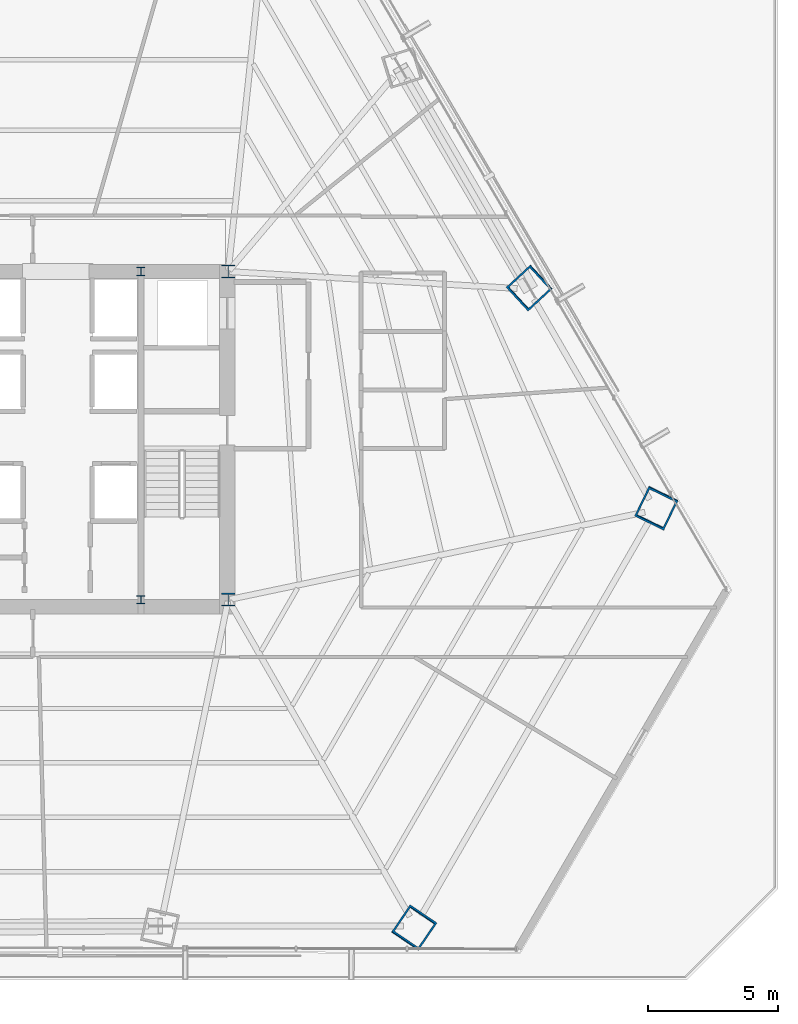
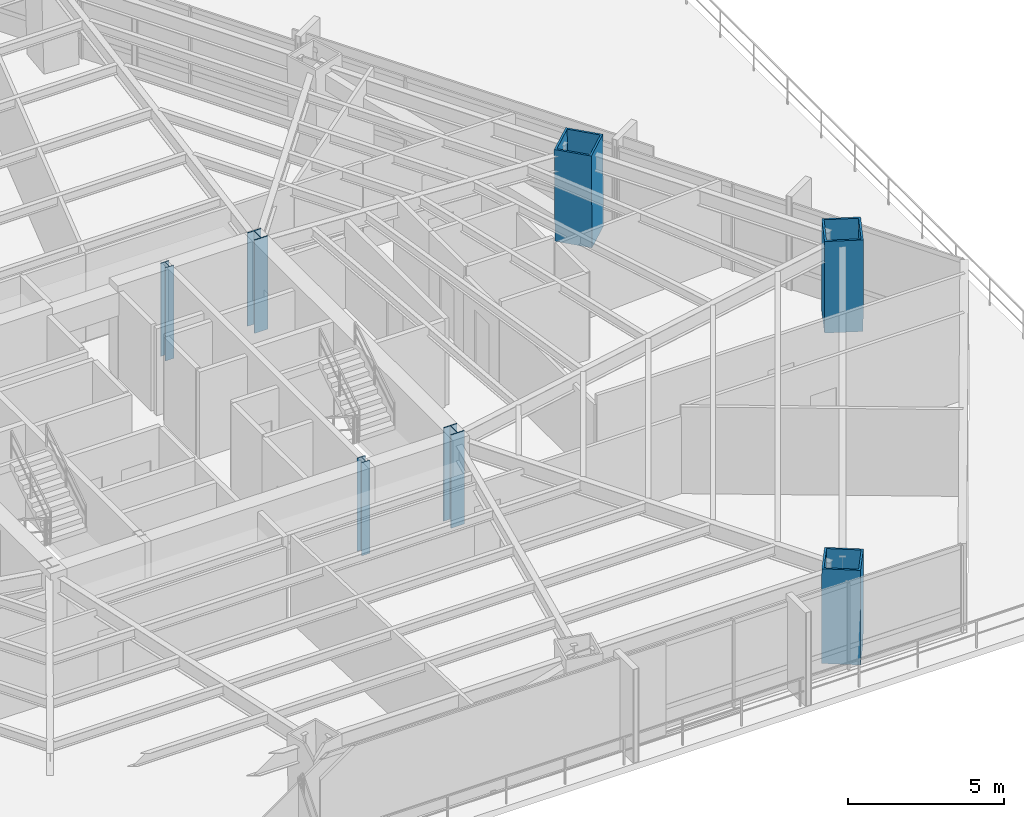
# One storey, part 2 of 35: 7 columns.
"""IFC4 building model written with IfcOpenShell, lengths in metres."""

import ifcopenshell
import ifcopenshell.guid

model = None  # the IFC model being written
_history = None  # IfcOwnerHistory: only IFC2X3 demands one
_inside = {}  # id of a spatial element -> (the spatial element, [elements in it])
_under = {}  # id of a project, library or spatial element -> (it, [spatial elements below it])
_declared = {}  # id of a project -> (the project, [libraries it declares])
_typed = {}  # id of a type object -> (the type object, [elements of that type])
_made_of = {}  # id of a material, layer set ... -> (it, [elements and type objects made of it])


def new_model(schema):
    """Start an empty IFC model of exactly this schema.

    Asked for "IFC4X3", IfcOpenShell would pick the latest addendum, in which some entities
    have other attributes; the version numbers below select the first issue.
    IFC2X3 requires an IfcOwnerHistory on every rooted entity: one is made here for all.
    """
    global model, _history
    if schema == "IFC4X3":
        model = ifcopenshell.file(schema_version=(4, 3, 0, 0))
    else:
        model = ifcopenshell.file(schema=schema)
    _inside.clear()
    _under.clear()
    _declared.clear()
    _typed.clear()
    _made_of.clear()
    _history = None
    if model.schema == "IFC2X3":
        org = make("IfcOrganization", Name="unknown")
        user = make(
            "IfcPersonAndOrganization",
            ThePerson=make("IfcPerson", FamilyName="unknown"),
            TheOrganization=org,
        )
        app = make(
            "IfcApplication",
            ApplicationDeveloper=org,
            Version="unknown",
            ApplicationFullName="unknown",
            ApplicationIdentifier="unknown",
        )
        _history = make(
            "IfcOwnerHistory",
            OwningUser=user,
            OwningApplication=app,
            ChangeAction="ADDED",
            CreationDate=0,
        )
    return model


def make(cls, **values):
    """One entity of the class cls with the attributes given. An attribute that is None is left unset."""
    return model.create_entity(
        cls, **{name: value for name, value in values.items() if value is not None}
    )


def rooted(cls, **values):
    """An entity with a GlobalId (a new one), such as an element, a storey or a relation."""
    return make(cls, GlobalId=ifcopenshell.guid.new(), OwnerHistory=_history, **values)


def si_unit(unit_type, name, prefix=None):
    """IfcSIUnit, for example si_unit("LENGTHUNIT", "METRE", prefix="MILLI")."""
    return make("IfcSIUnit", UnitType=unit_type, Prefix=prefix, Name=name)


def assignment(units):
    """IfcUnitAssignment: the units of a project."""
    return None if units is None else make("IfcUnitAssignment", Units=units)


def point(xyz):
    """IfcCartesianPoint."""
    return None if xyz is None else make("IfcCartesianPoint", Coordinates=xyz)


def direction(xyz):
    """IfcDirection."""
    return None if xyz is None else make("IfcDirection", DirectionRatios=xyz)


def frame(location, z_axis=None, x_axis=None):
    """IfcAxis2Placement3D, a coordinate frame: its origin and axes. An axis left out is left unset."""
    return make(
        "IfcAxis2Placement3D",
        Location=point(location),
        Axis=direction(z_axis),
        RefDirection=direction(x_axis),
    )


def frame_2d(location, x_axis=None):
    """IfcAxis2Placement2D, a coordinate frame in the plane: its origin and x axis."""
    return make(
        "IfcAxis2Placement2D", Location=point(location), RefDirection=direction(x_axis)
    )


def origin():
    """The frame at (0, 0, 0) with its axes left unset."""
    return frame((0.0, 0.0, 0.0))


def origin_2d():
    """The frame at (0, 0) in the plane with its x axis left unset."""
    return frame_2d((0.0, 0.0))


def place(relative_to, where):
    """IfcLocalPlacement: puts the frame where relative to a parent placement (None: the world)."""
    return make(
        "IfcLocalPlacement", PlacementRelTo=relative_to, RelativePlacement=where
    )


def context(
    kind, dimensions, precision=None, world=None, true_north=None, identifier=None
):
    """IfcGeometricRepresentationContext, for example the 3D "Model" context."""
    return make(
        "IfcGeometricRepresentationContext",
        ContextIdentifier=identifier,
        ContextType=kind,
        CoordinateSpaceDimension=dimensions,
        Precision=precision,
        WorldCoordinateSystem=world,
        TrueNorth=true_north,
    )


def subcontext(parent, identifier, kind, view, scale=None):
    """IfcGeometricRepresentationSubContext, for example "Body" below "Model"."""
    return make(
        "IfcGeometricRepresentationSubContext",
        ContextIdentifier=identifier,
        ContextType=kind,
        ParentContext=parent,
        TargetScale=scale,
        TargetView=view,
    )


def project(units=None, contexts=None):
    """IfcProject with its units and contexts."""
    return rooted(
        "IfcProject",
        Name="project",
        RepresentationContexts=contexts,
        UnitsInContext=assignment(units),
    )


def spatial(cls, under=None, at=None, **own):
    """A site, building, storey or space (cls), placed at a placement, below another one or the project."""
    s = rooted(cls, ObjectPlacement=at, **own)
    if under is not None:
        _under.setdefault(under.id(), (under, []))[1].append(s)
    return s


def profile(cls, at=None, kind="AREA", **sizes):
    """A parametric profile (cls). Its sizes go by their IFC names, for example OverallWidth=200.0."""
    return make(cls, ProfileType=kind, Position=at, **sizes)


def hollow_rectangle(**sizes):
    """IfcRectangleHollowProfileDef."""
    return profile("IfcRectangleHollowProfileDef", **sizes)


def i_section(**sizes):
    """IfcIShapeProfileDef."""
    return profile("IfcIShapeProfileDef", **sizes)


def extrude(swept, where, along, depth):
    """IfcExtrudedAreaSolid: the profile swept, set in the frame where, extruded along a direction by depth."""
    return make(
        "IfcExtrudedAreaSolid",
        SweptArea=swept,
        Position=where,
        ExtrudedDirection=direction(along),
        Depth=depth,
    )


def shape(context_of_items, identifier, shape_type, items):
    """IfcShapeRepresentation: the items that make up one representation, for example the "Body"."""
    return make(
        "IfcShapeRepresentation",
        ContextOfItems=context_of_items,
        RepresentationIdentifier=identifier,
        RepresentationType=shape_type,
        Items=items,
    )


def source(mapping_origin, context_of_items, identifier, shape_type, items):
    """IfcRepresentationMap: a shape defined once, which mapped items show again and again."""
    return make(
        "IfcRepresentationMap",
        MappingOrigin=mapping_origin,
        MappedRepresentation=shape(context_of_items, identifier, shape_type, items),
    )


def transform(
    local_origin,
    x_axis=None,
    y_axis=None,
    z_axis=None,
    scale=None,
    scale2=None,
    scale3=None,
    uniform=True,
):
    """IfcCartesianTransformationOperator3D, or its non-uniform kind. x_axis, y_axis, z_axis: its Axis1, 2, 3."""
    if uniform:
        return make(
            "IfcCartesianTransformationOperator3D",
            Axis1=direction(x_axis),
            Axis2=direction(y_axis),
            LocalOrigin=point(local_origin),
            Scale=scale,
            Axis3=direction(z_axis),
        )
    return make(
        "IfcCartesianTransformationOperator3DnonUniform",
        Axis1=direction(x_axis),
        Axis2=direction(y_axis),
        LocalOrigin=point(local_origin),
        Scale=scale,
        Axis3=direction(z_axis),
        Scale2=scale2,
        Scale3=scale3,
    )


def mapped(mapping_source, mapping_target):
    """IfcMappedItem: shows the shape of a source again, moved by a transform."""
    return make(
        "IfcMappedItem", MappingSource=mapping_source, MappingTarget=mapping_target
    )


def material(Name=None, Category=None):
    """IfcMaterial."""
    return make("IfcMaterial", Name=Name, Category=Category)


def material_profile(
    of_material, cross_section, Name=None, Category=None, Priority=None
):
    """IfcMaterialProfile: a cross section and its material."""
    return make(
        "IfcMaterialProfile",
        Name=Name,
        Material=of_material,
        Profile=cross_section,
        Priority=Priority,
        Category=Category,
    )


def profile_set(profiles, Name=None, composite=None):
    """IfcMaterialProfileSet."""
    return make(
        "IfcMaterialProfileSet",
        Name=Name,
        MaterialProfiles=profiles,
        CompositeProfile=composite,
    )


def made_of(thing, what):
    """Note that an element or type object is made of a material, layer set ...; save() writes the relation."""
    if what is not None:
        _made_of.setdefault(what.id(), (what, []))[1].append(thing)
    return thing


def type_object(cls, material=None, **own):
    """A type object (cls), such as IfcWallType, which elements share."""
    return made_of(rooted(cls, **own), material)


def type_shapes(of_type, sources):
    """Give a type object the sources (RepresentationMaps) that its elements show as mapped items."""
    of_type.RepresentationMaps = sources


def element(
    cls,
    number,
    at=None,
    inside=None,
    cuts=None,
    type_object=None,
    material=None,
    context=None,
    identifier="Body",
    shape_type=None,
    held_by="IfcProductDefinitionShape",
    body=None,
    shapes=None,
    **own,
):
    """One element of the class cls, such as IfcWall. Its Tag is "e" and its number.

    at: its placement. inside: the storey or other place that contains it. cuts: it is an
    opening in that element (IfcRelVoidsElement). A single representation is given by context,
    identifier, shape_type and body (its items); several are given by shapes. held_by: the class
    of the entity that holds the representations. save() writes the other relations.
    """
    e = rooted(cls, Tag="e%d" % number, ObjectPlacement=at, **own)
    if body is not None:
        shapes = [shape(context, identifier, shape_type, body)]
    if shapes is not None:
        e.Representation = make(held_by, Representations=shapes)
    if inside is not None:
        _inside.setdefault(inside.id(), (inside, []))[1].append(e)
    if cuts is not None:
        rooted(
            "IfcRelVoidsElement", RelatingBuildingElement=cuts, RelatedOpeningElement=e
        )
    if type_object is not None:
        _typed.setdefault(type_object.id(), (type_object, []))[1].append(e)
    return made_of(e, material)


def aggregate(whole, parts):
    """IfcRelAggregates: a whole, such as a stair, and the parts it consists of."""
    return rooted("IfcRelAggregates", RelatingObject=whole, RelatedObjects=parts)


def save(model, path):
    """Write the relations noted so far, then the file.

    IfcRelAggregates (storeys below a building ...), IfcRelContainedInSpatialStructure (elements
    in a storey), IfcRelDefinesByType, IfcRelAssociatesMaterial and IfcRelDeclares: one each for
    every whole, place, type object, material and project.
    """
    for whole, parts in _under.values():
        aggregate(whole, parts)
    for where, things in _inside.values():
        rooted(
            "IfcRelContainedInSpatialStructure",
            RelatedElements=things,
            RelatingStructure=where,
        )
    for kind, things in _typed.values():
        rooted("IfcRelDefinesByType", RelatedObjects=things, RelatingType=kind)
    for what, things in _made_of.values():
        rooted("IfcRelAssociatesMaterial", RelatedObjects=things, RelatingMaterial=what)
    for by, libraries in _declared.values():
        rooted("IfcRelDeclares", RelatingContext=by, RelatedDefinitions=libraries)
    model.write(path)


model = new_model("IFC4")

# Units and contexts
model_context = context("Model", 3, precision=1e-05, world=origin(), true_north=direction((0.0, 1.0)))
body_context = subcontext(model_context, "Body", "Model", "MODEL_VIEW")
ifc_project = project(units=[si_unit("LENGTHUNIT", "METRE"), si_unit("AREAUNIT", "SQUARE_METRE"), si_unit("VOLUMEUNIT", "CUBIC_METRE"), si_unit("PLANEANGLEUNIT", "RADIAN"), si_unit("MASSUNIT", "GRAM", prefix="KILO")], contexts=[model_context])

# Site, building, storey
site_placement = place(None, origin())
site = spatial("IfcSite", under=ifc_project, at=site_placement, CompositionType="ELEMENT")
building_placement = place(site_placement, origin())
building = spatial("IfcBuilding", under=site, at=building_placement, Name="Caelisora Broadcast Tower", CompositionType="ELEMENT")
storey_placement = place(building_placement, frame((0.0, 0.0, 27.60009765625)))
storey = spatial("IfcBuildingStorey", under=building, at=storey_placement, Name="L06", CompositionType="ELEMENT", Elevation=27.60009765625)

# Columns
ifc_material_1 = material(Name="Steel Grade 350 (AS/NZS 3679.2)", Category="steel")
ifc_material_profile_1 = material_profile(ifc_material_1, i_section(OverallWidth=0.5, OverallDepth=0.5, WebThickness=0.028076171875, FlangeThickness=0.0400390625, at=origin_2d()), Name="Steel Grade 350 (AS/NZS 3679.2)")
ifc_profile_set_1 = profile_set([ifc_material_profile_1], Name="Steel Grade 350 (AS/NZS 3679.2)")
column_type_1 = type_object("IfcColumnType", Name="CC01", PredefinedType="COLUMN", material=ifc_profile_set_1)
shared_shape_1 = source(origin(), body_context, "Body", "SweptSolid", [
    extrude(i_section(OverallWidth=0.5, OverallDepth=0.5, WebThickness=0.028076171875, FlangeThickness=0.0400390625, at=origin_2d()), origin(), (0.0, 0.0, 1.0), 3.64990234375),
])
type_shapes(column_type_1, [shared_shape_1])
for number, where, z_axis, x_axis, name in (
    (1, (45.5, 17.39990234375, 0.0), (0.0, 0.0, 1.0), (1.0, 0.0, 0.0), "L06 column CC01"),
    (2, (45.5, 30.0, 0.0), (0.0, 0.0, 1.0), (1.0, 0.0, 0.0), "L06 column CC01"),
):
    element("IfcColumn", number, at=place(storey_placement, frame(where, z_axis=z_axis, x_axis=x_axis)), inside=storey, type_object=column_type_1, Name=name, PredefinedType="COLUMN", context=body_context, shape_type="MappedRepresentation", body=[
        mapped(shared_shape_1, transform((0.0, 0.0, 0.0), scale=1.0)),
    ])
ifc_material_2 = material(Name="Steel Grade 350 (AS/NZS 3679.1)", Category="steel")
ifc_material_profile_2 = material_profile(ifc_material_2, i_section(OverallWidth=0.306884765625, OverallDepth=0.314697265625, WebThickness=0.011962890625, FlangeThickness=0.018798828125, at=origin_2d()), Name="Steel Grade 350 (AS/NZS 3679.1)")
ifc_profile_set_2 = profile_set([ifc_material_profile_2], Name="Steel Grade 350 (AS/NZS 3679.1)")
column_type_2 = type_object("IfcColumnType", Name="CC04", PredefinedType="COLUMN", material=ifc_profile_set_2)
shared_shape_2 = source(origin(), body_context, "Body", "SweptSolid", [
    extrude(i_section(OverallWidth=0.306884765625, OverallDepth=0.314697265625, WebThickness=0.011962890625, FlangeThickness=0.018798828125, at=origin_2d()), origin(), (0.0, 0.0, 1.0), 3.64990234375),
])
type_shapes(column_type_2, [shared_shape_2])
for number, where, z_axis, x_axis, name in (
    (3, (42.14990234375, 17.39990234375, 0.0), (0.0, 0.0, 1.0), (1.0, 0.0, 0.0), "L06 column CC04"),
    (4, (42.14990234375, 30.0, 0.0), (0.0, 0.0, 1.0), (1.0, 0.0, 0.0), "L06 column CC04"),
):
    element("IfcColumn", number, at=place(storey_placement, frame(where, z_axis=z_axis, x_axis=x_axis)), inside=storey, type_object=column_type_2, Name=name, PredefinedType="COLUMN", context=body_context, shape_type="MappedRepresentation", body=[
        mapped(shared_shape_2, transform((0.0, 0.0, 0.0), scale=1.0)),
    ])
ifc_material_3 = material(Name="Steel Grade 350 L15 (AS/NZS 3678)", Category="steel")
ifc_material_profile_3 = material_profile(ifc_material_3, hollow_rectangle(XDim=1.25, YDim=1.25, WallThickness=0.070068359375, at=origin_2d()), Name="Steel Grade 350 L15 (AS/NZS 3678)")
ifc_profile_set_3 = profile_set([ifc_material_profile_3], Name="Steel Grade 350 L15 (AS/NZS 3678)")
column_type_3 = type_object("IfcColumnType", Name="MC02", PredefinedType="COLUMN", material=ifc_profile_set_3)
shared_shape_3 = source(origin(), body_context, "Body", "SweptSolid", [
    extrude(hollow_rectangle(XDim=1.25, YDim=1.25, WallThickness=0.070068359375, at=origin_2d()), origin(), (0.0, 0.0, 1.0), 3.65087890625),
])
for number, where, z_axis, x_axis, name in (
    (5, (52.63232421875, 4.800048828125, 0.0), (0.013440967269, 0.019793663242, 0.999713734673), (-0.827290216258, 0.561774775229, 0.0), "L06 column MC02"),
    (6, (61.94384765625, 20.927978515625, 0.0), (-0.010431795422, -0.021532295679, 0.999713727968), (0.899947055326, -0.435999194506, 0.0), "L06 column MC02"),
):
    element("IfcColumn", number, at=place(storey_placement, frame(where, z_axis=z_axis, x_axis=x_axis)), inside=storey, type_object=column_type_3, Name=name, PredefinedType="COLUMN", context=body_context, shape_type="MappedRepresentation", body=[
        mapped(shared_shape_3, transform((0.0, 0.0, 0.0), scale=1.0)),
    ])
shared_shape_4 = source(origin(), body_context, "Body", "SweptSolid", [
    extrude(hollow_rectangle(XDim=1.25, YDim=1.25, WallThickness=0.070068359375, at=origin_2d()), origin(), (0.0, 0.0, 1.0), 3.650634765625),
])
type_shapes(column_type_3, [shared_shape_3, shared_shape_4])
column_placement = place(storey_placement, frame((57.06640625, 29.3759765625, 0.0), z_axis=(-0.014913313399, -0.013776424037, 0.999793880369), x_axis=(0.678553674548, -0.734550822447, 0.0)))
element("IfcColumn", 7, at=column_placement, inside=storey, type_object=column_type_3, Name="L06 column MC02", PredefinedType="COLUMN", context=body_context, shape_type="MappedRepresentation", body=[
    mapped(shared_shape_4, transform((0.0, 0.0, 0.0), scale=1.0)),
])

save(model, "model.ifc")
